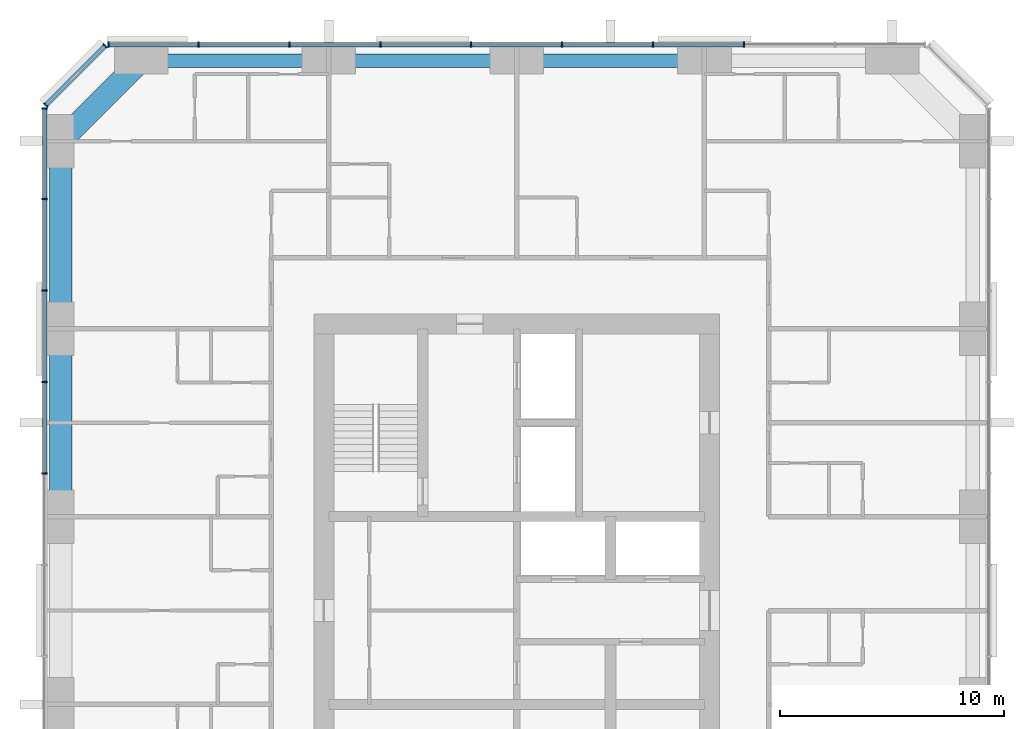
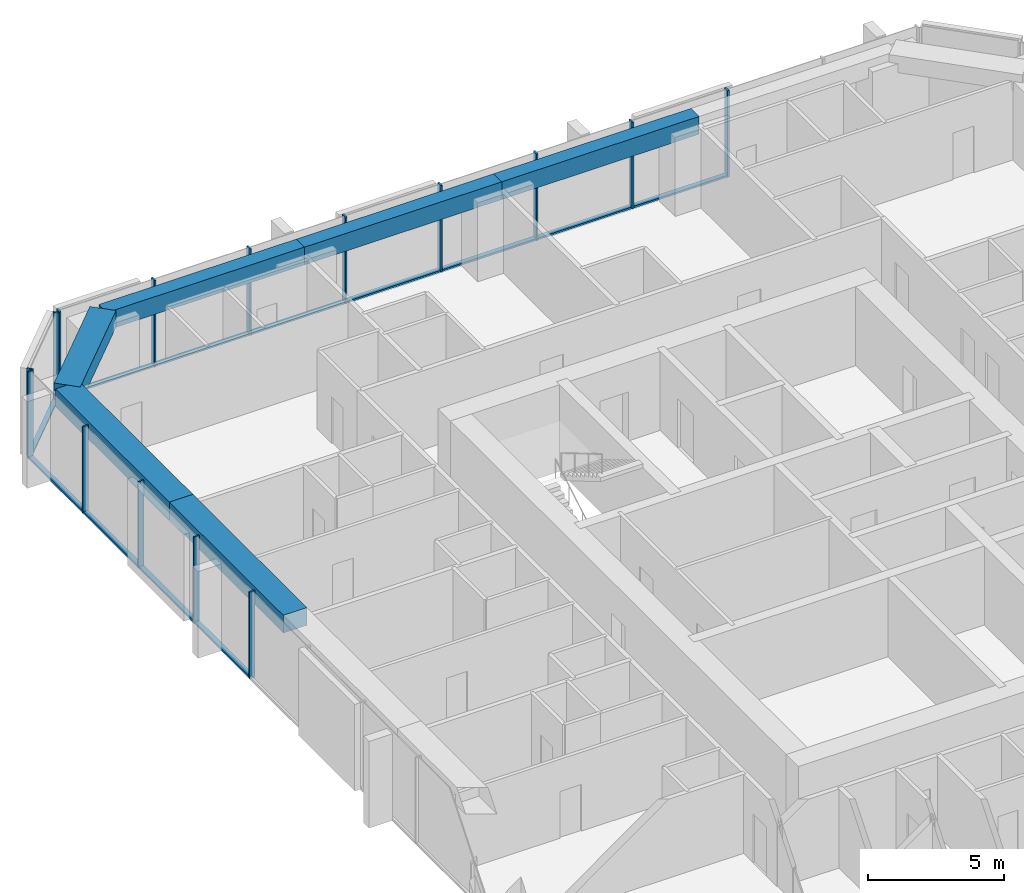
# One storey, part 4 of 12: 27 members, 6 beams, 3 elements without a shape of their own.
"""IFC4 building model written with IfcOpenShell, lengths in metres."""

from ifc_helpers import new_model, si_unit, direction, frame, origin, origin_2d, place, context, subcontext, project, spatial, rectangle, extrude, material, material_profile, profile_set, type_object, element, aggregate, save


model = new_model("IFC4")

# Units and contexts
model_context = context("Model", 3, precision=1e-05, world=origin(), true_north=direction((0.0, 1.0)))
body_context = subcontext(model_context, "Body", "Model", "MODEL_VIEW")
ifc_project = project(units=[si_unit("LENGTHUNIT", "METRE"), si_unit("AREAUNIT", "SQUARE_METRE"), si_unit("VOLUMEUNIT", "CUBIC_METRE"), si_unit("PLANEANGLEUNIT", "RADIAN"), si_unit("MASSUNIT", "GRAM", prefix="KILO")], contexts=[model_context])

# Site, building, storey
site_placement = place(None, origin())
site = spatial("IfcSite", under=ifc_project, at=site_placement, CompositionType="ELEMENT")
building_placement = place(site_placement, origin())
building = spatial("IfcBuilding", under=site, at=building_placement, Name="Dunama Terrace Hotel", CompositionType="ELEMENT")
storey_placement = place(building_placement, frame((0.0, 0.0, 233.39990234375)))
storey = spatial("IfcBuildingStorey", under=building, at=storey_placement, Name="L60", CompositionType="ELEMENT", Elevation=233.39990234375)

# Curtain wall, members
ifc_material_1 = material(Name="Aluminium curtain wall system", Category="aluminium")
curtain_wall_type = type_object("IfcCurtainWallType", Name="Unitised fritted glass wall CW-D", PredefinedType="NOTDEFINED", material=ifc_material_1)
curtain_wall_1_placement = place(storey_placement, origin())
curtain_wall_1 = element("IfcCurtainWall", 1, at=curtain_wall_1_placement, inside=storey, type_object=curtain_wall_type, Name="Unitised fritted glass wall CW-D L60", PredefinedType="NOTDEFINED")
ifc_material_2 = material(Name="Aluminium mullion", Category="aluminium")
ifc_material_profile_1 = material_profile(ifc_material_2, rectangle(XDim=0.070068359375, YDim=0.239990234375, at=origin_2d()), Name="CWD MULLION 70X240")
ifc_profile_set_1 = profile_set([ifc_material_profile_1], Name="Aluminium mullion")
member_type_1 = type_object("IfcMemberType", Name="CWD mullion 70x240", PredefinedType="MULLION", material=ifc_profile_set_1)
member_1_placement = place(storey_placement, frame((43.76708984375, 54.719970703125, 0.0), z_axis=(0.0, 0.0, 1.0), x_axis=(-1.0, 0.0, 0.0)))
member_1 = element("IfcMember", 2, at=member_1_placement, type_object=member_type_1, Name="CWD mullion", PredefinedType="MULLION", context=body_context, shape_type="SweptSolid", body=[
    extrude(rectangle(XDim=0.070068359375, YDim=0.239990234375, at=origin_2d()), origin(), (0.0, 0.0, 1.0), 3.900146484375),
])
member_2_placement = place(storey_placement, frame((39.699951171875, 54.719970703125, 0.0), z_axis=(0.0, 0.0, 1.0), x_axis=(-1.0, 0.0, 0.0)))
member_2 = element("IfcMember", 3, at=member_2_placement, type_object=member_type_1, Name="CWD mullion", PredefinedType="MULLION", context=body_context, shape_type="SweptSolid", body=[
    extrude(rectangle(XDim=0.070068359375, YDim=0.239990234375, at=origin_2d()), origin(), (0.0, 0.0, 1.0), 3.900146484375),
])
member_3_placement = place(storey_placement, frame((35.633056640625, 54.719970703125, 0.0), z_axis=(0.0, 0.0, 1.0), x_axis=(-1.0, 0.0, 0.0)))
member_3 = element("IfcMember", 4, at=member_3_placement, type_object=member_type_1, Name="CWD mullion", PredefinedType="MULLION", context=body_context, shape_type="SweptSolid", body=[
    extrude(rectangle(XDim=0.070068359375, YDim=0.239990234375, at=origin_2d()), origin(), (0.0, 0.0, 1.0), 3.900146484375),
])
member_4_placement = place(storey_placement, frame((31.56689453125, 54.719970703125, 0.0), z_axis=(0.0, 0.0, 1.0), x_axis=(-1.0, 0.0, 0.0)))
member_4 = element("IfcMember", 5, at=member_4_placement, type_object=member_type_1, Name="CWD mullion", PredefinedType="MULLION", context=body_context, shape_type="SweptSolid", body=[
    extrude(rectangle(XDim=0.070068359375, YDim=0.239990234375, at=origin_2d()), origin(), (0.0, 0.0, 1.0), 3.900146484375),
])
member_5_placement = place(storey_placement, frame((27.5, 54.719970703125, 0.0), z_axis=(0.0, 0.0, 1.0), x_axis=(-1.0, 0.0, 0.0)))
member_5 = element("IfcMember", 6, at=member_5_placement, type_object=member_type_1, Name="CWD mullion", PredefinedType="MULLION", context=body_context, shape_type="SweptSolid", body=[
    extrude(rectangle(XDim=0.070068359375, YDim=0.239990234375, at=origin_2d()), origin(), (0.0, 0.0, 1.0), 3.900146484375),
])
member_6_placement = place(storey_placement, frame((23.43310546875, 54.719970703125, 0.0), z_axis=(0.0, 0.0, 1.0), x_axis=(-1.0, 0.0, 0.0)))
member_6 = element("IfcMember", 7, at=member_6_placement, type_object=member_type_1, Name="CWD mullion", PredefinedType="MULLION", context=body_context, shape_type="SweptSolid", body=[
    extrude(rectangle(XDim=0.070068359375, YDim=0.239990234375, at=origin_2d()), origin(), (0.0, 0.0, 1.0), 3.900146484375),
])
member_7_placement = place(storey_placement, frame((19.366943359375, 54.719970703125, 0.0), z_axis=(0.0, 0.0, 1.0), x_axis=(-1.0, 0.0, 0.0)))
member_7 = element("IfcMember", 8, at=member_7_placement, type_object=member_type_1, Name="CWD mullion", PredefinedType="MULLION", context=body_context, shape_type="SweptSolid", body=[
    extrude(rectangle(XDim=0.070068359375, YDim=0.239990234375, at=origin_2d()), origin(), (0.0, 0.0, 1.0), 3.900146484375),
])
member_8_placement = place(storey_placement, frame((15.3349609375, 54.719970703125, 0.0), z_axis=(0.0, 0.0, 1.0), x_axis=(-1.0, 0.0, 0.0)))
member_8 = element("IfcMember", 9, at=member_8_placement, type_object=member_type_1, Name="CWD mullion", PredefinedType="MULLION", context=body_context, shape_type="SweptSolid", body=[
    extrude(rectangle(XDim=0.070068359375, YDim=0.239990234375, at=origin_2d()), origin(), (0.0, 0.0, 1.0), 3.900146484375),
])

curtain_wall_2_placement = place(storey_placement, origin())
curtain_wall_2 = element("IfcCurtainWall", 10, at=curtain_wall_2_placement, inside=storey, type_object=curtain_wall_type, Name="Unitised fritted glass wall CW-D L60", PredefinedType="NOTDEFINED")
member_9_placement = place(storey_placement, frame((15.18994140625, 54.659912109375, 0.0), z_axis=(0.0, 0.0, 1.0), x_axis=(-0.707106781187, -0.707106781187, 0.0)))
member_9 = element("IfcMember", 11, at=member_9_placement, type_object=member_type_1, Name="CWD mullion", PredefinedType="MULLION", context=body_context, shape_type="SweptSolid", body=[
    extrude(rectangle(XDim=0.070068359375, YDim=0.239990234375, at=origin_2d()), origin(), (0.0, 0.0, 1.0), 3.900146484375),
])
member_10_placement = place(storey_placement, frame((12.5400390625, 52.010009765625, 0.0), z_axis=(0.0, 0.0, 1.0), x_axis=(-0.707106781187, -0.707106781187, 0.0)))
member_10 = element("IfcMember", 12, at=member_10_placement, type_object=member_type_1, Name="CWD mullion", PredefinedType="MULLION", context=body_context, shape_type="SweptSolid", body=[
    extrude(rectangle(XDim=0.070068359375, YDim=0.239990234375, at=origin_2d()), origin(), (0.0, 0.0, 1.0), 3.900146484375),
])

curtain_wall_3_placement = place(storey_placement, origin())
curtain_wall_3 = element("IfcCurtainWall", 13, at=curtain_wall_3_placement, inside=storey, type_object=curtain_wall_type, Name="Unitised fritted glass wall CW-D L60", PredefinedType="NOTDEFINED")
member_11_placement = place(storey_placement, frame((12.47998046875, 51.864990234375, 0.0), z_axis=(0.0, 0.0, 1.0), x_axis=(0.0, -1.0, 0.0)))
member_11 = element("IfcMember", 14, at=member_11_placement, type_object=member_type_1, Name="CWD mullion", PredefinedType="MULLION", context=body_context, shape_type="SweptSolid", body=[
    extrude(rectangle(XDim=0.070068359375, YDim=0.239990234375, at=origin_2d()), origin(), (0.0, 0.0, 1.0), 3.900146484375),
])
member_12_placement = place(storey_placement, frame((12.47998046875, 47.80908203125, 0.0), z_axis=(0.0, 0.0, 1.0), x_axis=(0.0, -1.0, 0.0)))
member_12 = element("IfcMember", 15, at=member_12_placement, type_object=member_type_1, Name="CWD mullion", PredefinedType="MULLION", context=body_context, shape_type="SweptSolid", body=[
    extrude(rectangle(XDim=0.070068359375, YDim=0.239990234375, at=origin_2d()), origin(), (0.0, 0.0, 1.0), 3.900146484375),
])
member_13_placement = place(storey_placement, frame((12.47998046875, 43.718017578125, 0.0), z_axis=(0.0, 0.0, 1.0), x_axis=(0.0, -1.0, 0.0)))
member_13 = element("IfcMember", 16, at=member_13_placement, type_object=member_type_1, Name="CWD mullion", PredefinedType="MULLION", context=body_context, shape_type="SweptSolid", body=[
    extrude(rectangle(XDim=0.070068359375, YDim=0.239990234375, at=origin_2d()), origin(), (0.0, 0.0, 1.0), 3.900146484375),
])
member_14_placement = place(storey_placement, frame((12.47998046875, 39.626953125, 0.0), z_axis=(0.0, 0.0, 1.0), x_axis=(0.0, -1.0, 0.0)))
member_14 = element("IfcMember", 17, at=member_14_placement, type_object=member_type_1, Name="CWD mullion", PredefinedType="MULLION", context=body_context, shape_type="SweptSolid", body=[
    extrude(rectangle(XDim=0.070068359375, YDim=0.239990234375, at=origin_2d()), origin(), (0.0, 0.0, 1.0), 3.900146484375),
])
member_15_placement = place(storey_placement, frame((12.47998046875, 35.535888671875, 0.0), z_axis=(0.0, 0.0, 1.0), x_axis=(0.0, -1.0, 0.0)))
member_15 = element("IfcMember", 18, at=member_15_placement, type_object=member_type_1, Name="CWD mullion", PredefinedType="MULLION", context=body_context, shape_type="SweptSolid", body=[
    extrude(rectangle(XDim=0.070068359375, YDim=0.239990234375, at=origin_2d()), origin(), (0.0, 0.0, 1.0), 3.900146484375),
])

# Member
ifc_material_3 = material(Name="Aluminium transom", Category="aluminium")
ifc_material_profile_2 = material_profile(ifc_material_3, rectangle(XDim=0.199951171875, YDim=0.0849609375, at=origin_2d()), Name="CWD TRANSOM 200X85")
ifc_profile_set_2 = profile_set([ifc_material_profile_2], Name="Aluminium transom")
member_type_2 = type_object("IfcMemberType", Name="CWD transom 200x85", PredefinedType="USERDEFINED", material=ifc_profile_set_2)
member_16_placement = place(storey_placement, frame((43.73193359375, 54.719970703125, 0.04248046875), z_axis=(-1.0, 0.0, 0.0), x_axis=(0.0, -1.0, 0.0)))
member_16 = element("IfcMember", 19, at=member_16_placement, type_object=member_type_2, Name="CWD transom", ObjectType="TRANSOM", PredefinedType="USERDEFINED", context=body_context, shape_type="SweptSolid", body=[
    extrude(rectangle(XDim=0.199951171875, YDim=0.0849609375, at=origin_2d()), origin(), (0.0, 0.0, 1.0), 3.996826171875),
])

member_17_placement = place(storey_placement, frame((39.6650390625, 54.719970703125, 0.04248046875), z_axis=(-1.0, 0.0, 0.0), x_axis=(0.0, -1.0, 0.0)))
member_17 = element("IfcMember", 20, at=member_17_placement, type_object=member_type_2, Name="CWD transom", ObjectType="TRANSOM", PredefinedType="USERDEFINED", context=body_context, shape_type="SweptSolid", body=[
    extrude(rectangle(XDim=0.199951171875, YDim=0.0849609375, at=origin_2d()), origin(), (0.0, 0.0, 1.0), 3.9970703125),
])

member_18_placement = place(storey_placement, frame((35.597900390625, 54.719970703125, 0.04248046875), z_axis=(-1.0, 0.0, 0.0), x_axis=(0.0, -1.0, 0.0)))
member_18 = element("IfcMember", 21, at=member_18_placement, type_object=member_type_2, Name="CWD transom", ObjectType="TRANSOM", PredefinedType="USERDEFINED", context=body_context, shape_type="SweptSolid", body=[
    extrude(rectangle(XDim=0.199951171875, YDim=0.0849609375, at=origin_2d()), origin(), (0.0, 0.0, 1.0), 3.995849609375),
])

member_19_placement = place(storey_placement, frame((31.531982421875, 54.719970703125, 0.04248046875), z_axis=(-1.0, 0.0, 0.0), x_axis=(0.0, -1.0, 0.0)))
member_19 = element("IfcMember", 22, at=member_19_placement, type_object=member_type_2, Name="CWD transom", ObjectType="TRANSOM", PredefinedType="USERDEFINED", context=body_context, shape_type="SweptSolid", body=[
    extrude(rectangle(XDim=0.199951171875, YDim=0.0849609375, at=origin_2d()), origin(), (0.0, 0.0, 1.0), 3.9970703125),
])

member_20_placement = place(storey_placement, frame((27.465087890625, 54.719970703125, 0.04248046875), z_axis=(-1.0, 0.0, 0.0), x_axis=(0.0, -1.0, 0.0)))
member_20 = element("IfcMember", 23, at=member_20_placement, type_object=member_type_2, Name="CWD transom", ObjectType="TRANSOM", PredefinedType="USERDEFINED", context=body_context, shape_type="SweptSolid", body=[
    extrude(rectangle(XDim=0.199951171875, YDim=0.0849609375, at=origin_2d()), origin(), (0.0, 0.0, 1.0), 3.9970703125),
])

member_21_placement = place(storey_placement, frame((23.39794921875, 54.719970703125, 0.04248046875), z_axis=(-1.0, 0.0, 0.0), x_axis=(0.0, -1.0, 0.0)))
member_21 = element("IfcMember", 24, at=member_21_placement, type_object=member_type_2, Name="CWD transom", ObjectType="TRANSOM", PredefinedType="USERDEFINED", context=body_context, shape_type="SweptSolid", body=[
    extrude(rectangle(XDim=0.199951171875, YDim=0.0849609375, at=origin_2d()), origin(), (0.0, 0.0, 1.0), 3.995849609375),
])

member_22_placement = place(storey_placement, frame((19.33203125, 54.719970703125, 0.04248046875), z_axis=(-1.0, 0.0, 0.0), x_axis=(0.0, -1.0, 0.0)))
member_22 = element("IfcMember", 25, at=member_22_placement, type_object=member_type_2, Name="CWD transom", ObjectType="TRANSOM", PredefinedType="USERDEFINED", context=body_context, shape_type="SweptSolid", body=[
    extrude(rectangle(XDim=0.199951171875, YDim=0.0849609375, at=origin_2d()), origin(), (0.0, 0.0, 1.0), 3.9619140625),
])

aggregate(curtain_wall_1, [member_1, member_2, member_3, member_4, member_5, member_6, member_7, member_8, member_16, member_17, member_18, member_19, member_20, member_21, member_22])

member_23_placement = place(storey_placement, frame((15.166015625, 54.635009765625, 0.04248046875), z_axis=(-0.707106781187, -0.707106781187, 0.0), x_axis=(0.707106781187, -0.707106781187, 0.0)))
member_23 = element("IfcMember", 26, at=member_23_placement, type_object=member_type_2, Name="CWD transom", ObjectType="TRANSOM", PredefinedType="USERDEFINED", context=body_context, shape_type="SweptSolid", body=[
    extrude(rectangle(XDim=0.199951171875, YDim=0.0849609375, at=origin_2d()), origin(), (0.0, 0.0, 1.0), 3.678466796875),
])

aggregate(curtain_wall_2, [member_9, member_10, member_23])

member_24_placement = place(storey_placement, frame((12.47998046875, 51.830078125, 0.04248046875), z_axis=(0.0, -1.0, 0.0), x_axis=(1.0, 0.0, 0.0)))
member_24 = element("IfcMember", 27, at=member_24_placement, type_object=member_type_2, Name="CWD transom", ObjectType="TRANSOM", PredefinedType="USERDEFINED", context=body_context, shape_type="SweptSolid", body=[
    extrude(rectangle(XDim=0.199951171875, YDim=0.0849609375, at=origin_2d()), origin(), (0.0, 0.0, 1.0), 3.986083984375),
])

member_25_placement = place(storey_placement, frame((12.47998046875, 47.77392578125, 0.04248046875), z_axis=(0.0, -1.0, 0.0), x_axis=(1.0, 0.0, 0.0)))
member_25 = element("IfcMember", 28, at=member_25_placement, type_object=member_type_2, Name="CWD transom", ObjectType="TRANSOM", PredefinedType="USERDEFINED", context=body_context, shape_type="SweptSolid", body=[
    extrude(rectangle(XDim=0.199951171875, YDim=0.0849609375, at=origin_2d()), origin(), (0.0, 0.0, 1.0), 4.02099609375),
])

member_26_placement = place(storey_placement, frame((12.47998046875, 43.68310546875, 0.04248046875), z_axis=(0.0, -1.0, 0.0), x_axis=(1.0, 0.0, 0.0)))
member_26 = element("IfcMember", 29, at=member_26_placement, type_object=member_type_2, Name="CWD transom", ObjectType="TRANSOM", PredefinedType="USERDEFINED", context=body_context, shape_type="SweptSolid", body=[
    extrude(rectangle(XDim=0.199951171875, YDim=0.0849609375, at=origin_2d()), origin(), (0.0, 0.0, 1.0), 4.02099609375),
])

member_27_placement = place(storey_placement, frame((12.47998046875, 39.592041015625, 0.04248046875), z_axis=(0.0, -1.0, 0.0), x_axis=(1.0, 0.0, 0.0)))
member_27 = element("IfcMember", 30, at=member_27_placement, type_object=member_type_2, Name="CWD transom", ObjectType="TRANSOM", PredefinedType="USERDEFINED", context=body_context, shape_type="SweptSolid", body=[
    extrude(rectangle(XDim=0.199951171875, YDim=0.0849609375, at=origin_2d()), origin(), (0.0, 0.0, 1.0), 4.02099609375),
])

aggregate(curtain_wall_3, [member_11, member_12, member_13, member_14, member_15, member_24, member_25, member_26, member_27])

# Beams
ifc_material_4 = material(Name="Concrete C50/60", Category="concrete")
ifc_material_profile_3 = material_profile(ifc_material_4, rectangle(XDim=1.0, YDim=0.75, at=origin_2d()), Name="RC 1000x750")
ifc_profile_set_3 = profile_set([ifc_material_profile_3], Name="Concrete C50/60")
beam_type_1 = type_object("IfcBeamType", Name="Edge beam RC 1000x750", PredefinedType="SPANDREL", material=ifc_profile_set_3)
beam_1_placement = place(storey_placement, frame((16.800048828125, 54.0, 3.525146484375), z_axis=(-0.707106781187, -0.707106781187, 0.0), x_axis=(0.707106781187, -0.707106781187, 0.0)))
element("IfcBeam", 31, at=beam_1_placement, inside=storey, type_object=beam_type_1, Name="Corner edge beam under L61", PredefinedType="SPANDREL", context=body_context, shape_type="SweptSolid", body=[
    extrude(rectangle(XDim=1.0, YDim=0.75, at=origin_2d()), origin(), (0.0, 0.0, 1.0), 5.09130859375),
])
ifc_material_5 = material(Name="Concrete C40/50", Category="concrete")
ifc_material_profile_4 = material_profile(ifc_material_5, rectangle(XDim=1.0, YDim=0.800048828125, at=origin_2d()), Name="RC 1000x800")
ifc_profile_set_4 = profile_set([ifc_material_profile_4], Name="Concrete C40/50")
beam_type_2 = type_object("IfcBeamType", Name="Edge beam RC 1000x800", PredefinedType="SPANDREL", material=ifc_profile_set_4)
for number, where, z_axis, x_axis, name in (
    (32, (13.199951171875, 33.60009765625, 3.5), (0.0, 1.0, 0.0), (-1.0, 0.0, 0.0), "Edge beam under L61"),
    (33, (13.199951171875, 42.0, 3.5), (0.0, 1.0, 0.0), (-1.0, 0.0, 0.0), "Edge beam under L61"),
):
    element("IfcBeam", number, at=place(storey_placement, frame(where, z_axis=z_axis, x_axis=x_axis)), inside=storey, type_object=beam_type_2, Name=name, PredefinedType="SPANDREL", context=body_context, shape_type="SweptSolid", body=[
        extrude(rectangle(XDim=1.0, YDim=0.800048828125, at=origin_2d()), origin(), (0.0, 0.0, 1.0), 8.39990234375),
    ])
ifc_material_6 = material(Name="Concrete C40/50", Category="concrete")
ifc_material_profile_5 = material_profile(ifc_material_6, rectangle(XDim=0.60009765625, YDim=0.800048828125, at=origin_2d()), Name="RC 600x800")
ifc_profile_set_5 = profile_set([ifc_material_profile_5], Name="Concrete C40/50")
beam_type_3 = type_object("IfcBeamType", Name="Edge beam RC 600x800", PredefinedType="SPANDREL", material=ifc_profile_set_5)
beam_2_placement = place(storey_placement, frame((16.800048828125, 54.0, 3.5), z_axis=(1.0, 0.0, 0.0), x_axis=(0.0, 1.0, 0.0)))
element("IfcBeam", 34, at=beam_2_placement, inside=storey, type_object=beam_type_3, Name="Edge beam under L61", PredefinedType="SPANDREL", context=body_context, shape_type="SweptSolid", body=[
    extrude(rectangle(XDim=0.60009765625, YDim=0.800048828125, at=origin_2d()), origin(), (0.0, 0.0, 1.0), 8.39990234375),
])
beam_3_placement = place(storey_placement, frame((25.199951171875, 54.0, 3.5), z_axis=(1.0, 0.0, 0.0), x_axis=(0.0, 1.0, 0.0)))
element("IfcBeam", 35, at=beam_3_placement, inside=storey, type_object=beam_type_3, Name="Edge beam under L61", PredefinedType="SPANDREL", context=body_context, shape_type="SweptSolid", body=[
    extrude(rectangle(XDim=0.60009765625, YDim=0.800048828125, at=origin_2d()), origin(), (0.0, 0.0, 1.0), 8.400146484375),
])
beam_4_placement = place(storey_placement, frame((33.60009765625, 54.0, 3.5), z_axis=(1.0, 0.0, 0.0), x_axis=(0.0, 1.0, 0.0)))
element("IfcBeam", 36, at=beam_4_placement, inside=storey, type_object=beam_type_3, Name="Edge beam under L61", PredefinedType="SPANDREL", context=body_context, shape_type="SweptSolid", body=[
    extrude(rectangle(XDim=0.60009765625, YDim=0.800048828125, at=origin_2d()), origin(), (0.0, 0.0, 1.0), 8.39990234375),
])

save(model, "model.ifc")
